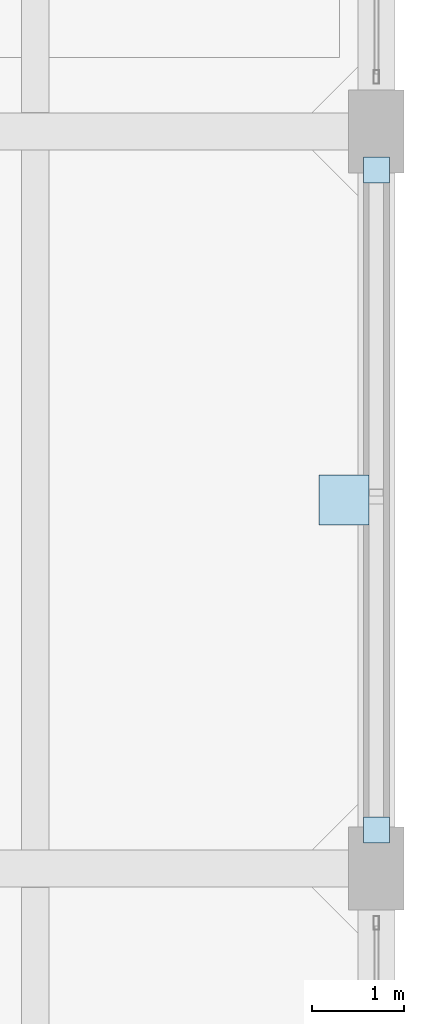
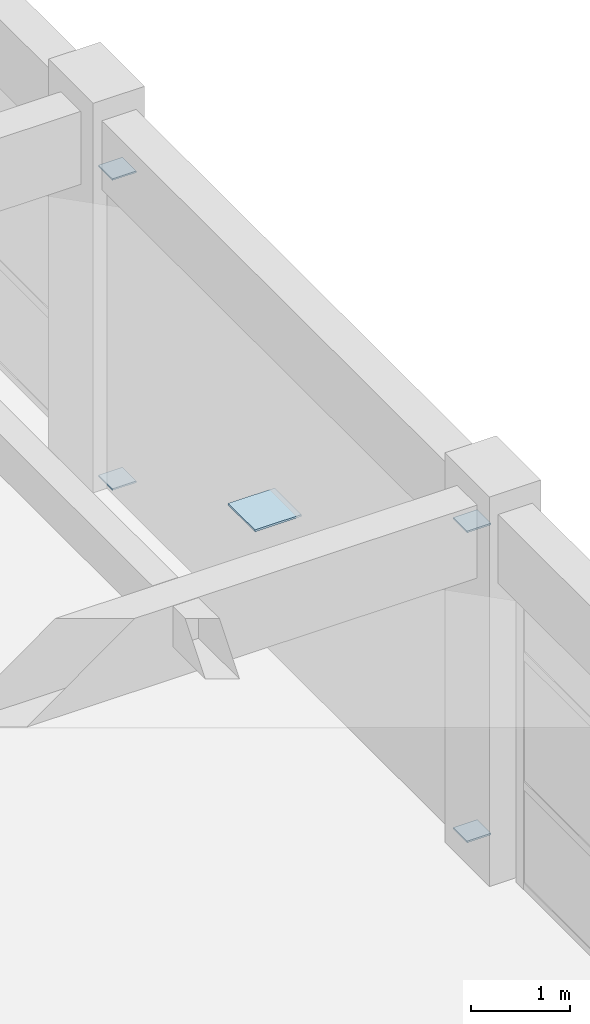
# One storey, part 48 of 63: 5 plates.
"""IFC4 building model written with IfcOpenShell, lengths in metres."""

from ifc_helpers import new_model, si_unit, direction, frame, origin, origin_2d, place, context, subcontext, project, spatial, rectangle, extrude, material, layer, layer_set, type_object, element, save


model = new_model("IFC4")

# Units and contexts
model_context = context("Model", 3, precision=1e-05, world=origin(), true_north=direction((0.0, 1.0)))
body_context = subcontext(model_context, "Body", "Model", "MODEL_VIEW")
ifc_project = project(units=[si_unit("LENGTHUNIT", "METRE"), si_unit("AREAUNIT", "SQUARE_METRE"), si_unit("VOLUMEUNIT", "CUBIC_METRE"), si_unit("PLANEANGLEUNIT", "RADIAN"), si_unit("MASSUNIT", "GRAM", prefix="KILO")], contexts=[model_context])

# Site, building, storey
site_placement = place(None, origin())
site = spatial("IfcSite", under=ifc_project, at=site_placement, CompositionType="ELEMENT")
building_placement = place(site_placement, origin())
building = spatial("IfcBuilding", under=site, at=building_placement, Name="Canggui Botanical Conservatory", CompositionType="ELEMENT")
storey_placement = place(building_placement, frame((0.0, 0.0, 10.199951171875)))
storey = spatial("IfcBuildingStorey", under=building, at=storey_placement, Name="L03", CompositionType="ELEMENT", Elevation=10.199951171875)

# Plates
ifc_material_1 = material(Name="Steel Q355B", Category="steel")
ifc_layer_1 = layer(ifc_material_1, 0.02001953125, Name="Steel Q355B", Category="steel")
ifc_layer_set_1 = layer_set([ifc_layer_1], Name="Steel Q355B")
plate_type_1 = type_object("IfcPlateType", Name="PLT-CAP-20", PredefinedType="USERDEFINED", material=ifc_layer_set_1)
for number, where, z_axis, x_axis, name in (
    (1, (177.39990234375, 42.419921875, 0.0400390625), (0.0, 0.0, 1.0), (1.0, 0.0, 0.0), "CP-ZC-L03-1"),
    (2, (177.39990234375, 49.580078125, 0.0400390625), (0.0, 0.0, 1.0), (1.0, 0.0, 0.0), "CP-ZC-L03-2"),
    (3, (177.39990234375, 42.419921875, 3.860107421875), (0.0, 0.0, 1.0), (1.0, 0.0, 0.0), "CP-ZC-L03-3"),
    (4, (177.39990234375, 49.580078125, 3.860107421875), (0.0, 0.0, 1.0), (1.0, 0.0, 0.0), "CP-ZC-L03-4"),
):
    element("IfcPlate", number, at=place(storey_placement, frame(where, z_axis=z_axis, x_axis=x_axis)), inside=storey, type_object=plate_type_1, Name=name, ObjectType="END CAP PLATE", PredefinedType="USERDEFINED", context=body_context, shape_type="SweptSolid", body=[
        extrude(rectangle(XDim=0.280029296875, YDim=0.280029296875, at=origin_2d()), origin(), (0.0, 0.0, 1.0), 0.02001953125),
    ])
ifc_material_2 = material(Name="Steel Q355C", Category="steel")
ifc_layer_2 = layer(ifc_material_2, 0.02392578125, Name="Steel Q355C", Category="steel")
ifc_layer_set_2 = layer_set([ifc_layer_2], Name="Steel Q355C")
plate_type_2 = type_object("IfcPlateType", Name="PLT-GUSSET-24", PredefinedType="USERDEFINED", material=ifc_layer_set_2)
plate_placement = place(storey_placement, frame((177.050048828125, 46.0, 1.947998046875), z_axis=(0.0, 0.0, 1.0), x_axis=(1.0, 0.0, 0.0)))
element("IfcPlate", 5, at=plate_placement, inside=storey, type_object=plate_type_2, Name="Seismic X-Brace Central Crossing Gusset Plate L03", ObjectType="GUSSET PLATE", PredefinedType="USERDEFINED", context=body_context, shape_type="SweptSolid", body=[
    extrude(rectangle(XDim=0.5400390625, YDim=0.5400390625, at=origin_2d()), origin(), (0.0, 0.0, 1.0), 0.02392578125),
])

save(model, "model.ifc")
